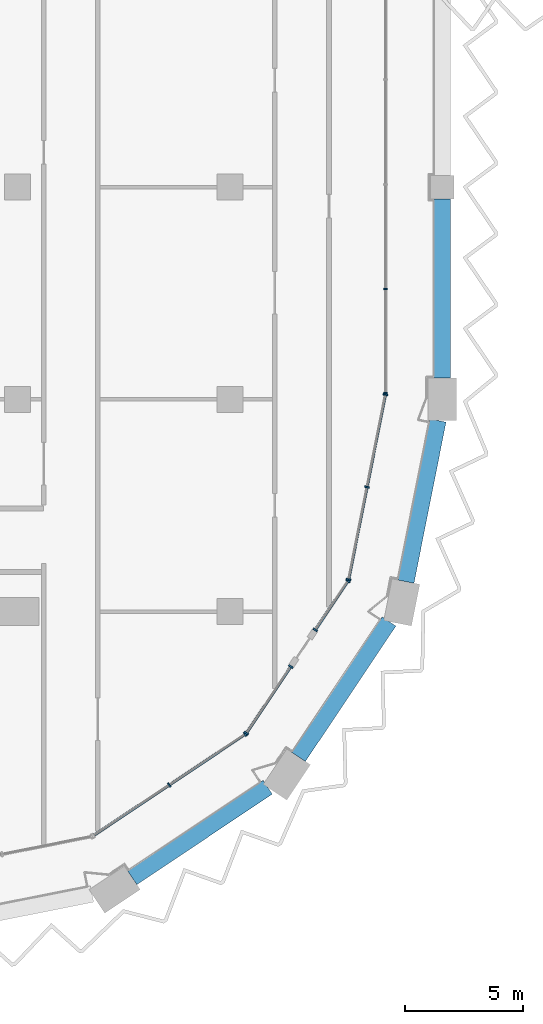
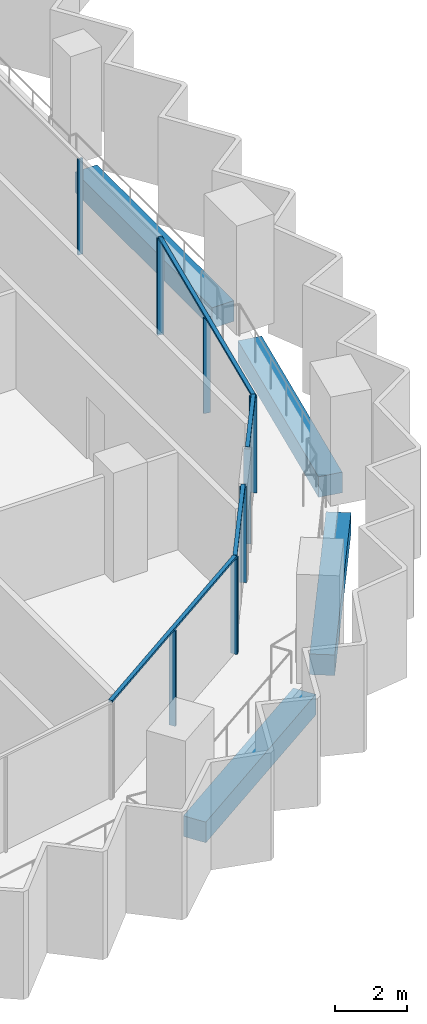
# One storey, part 4 of 19: 15 members, 4 beams, 5 elements without a shape of their own.
"""IFC4 building model written with IfcOpenShell, lengths in metres."""

from ifc_helpers import new_model, si_unit, direction, frame, origin, origin_2d, place, context, subcontext, project, spatial, rectangle, extrude, material, material_profile, profile_set, type_object, element, aggregate, save


model = new_model("IFC4")

# Units and contexts
model_context = context("Model", 3, precision=1e-05, world=origin(), true_north=direction((0.0, 1.0)))
body_context = subcontext(model_context, "Body", "Model", "MODEL_VIEW")
ifc_project = project(units=[si_unit("LENGTHUNIT", "METRE"), si_unit("AREAUNIT", "SQUARE_METRE"), si_unit("VOLUMEUNIT", "CUBIC_METRE"), si_unit("PLANEANGLEUNIT", "RADIAN"), si_unit("MASSUNIT", "GRAM", prefix="KILO")], contexts=[model_context])

# Site, building, storey
site_placement = place(None, origin())
site = spatial("IfcSite", under=ifc_project, at=site_placement, CompositionType="ELEMENT")
building_placement = place(site_placement, origin())
building = spatial("IfcBuilding", under=site, at=building_placement, Name="Hunhe Ridgeline Campus", CompositionType="ELEMENT")
storey_placement = place(building_placement, frame((0.0, 0.0, 216.10009765625)))
storey = spatial("IfcBuildingStorey", under=building, at=storey_placement, Name="L55", CompositionType="ELEMENT", Elevation=216.10009765625)

# Curtain wall, members
ifc_material_1 = material(Name="Aluminium 6063", Category="aluminium")
curtain_wall_type_1 = type_object("IfcCurtainWallType", Name="Curtain wall CW-1", PredefinedType="NOTDEFINED", material=ifc_material_1)
curtain_wall_1_placement = place(storey_placement, origin())
curtain_wall_1 = element("IfcCurtainWall", 1, at=curtain_wall_1_placement, inside=storey, type_object=curtain_wall_type_1, Name="Curtain wall 11", PredefinedType="NOTDEFINED")
ifc_material_profile_1 = material_profile(ifc_material_1, rectangle(XDim=0.159912109375, YDim=0.06005859375, at=origin_2d()))
ifc_profile_set_1 = profile_set([ifc_material_profile_1], Name="Aluminium 6063")
member_type_1 = type_object("IfcMemberType", Name="CW-1 aluminium mullion", PredefinedType="MULLION", material=ifc_profile_set_1)
member_1_placement = place(storey_placement, frame((42.59912109375, 36.266357421875, 0.0), z_axis=(0.0, 0.0, 1.0), x_axis=(-0.999999999978, 6.642653e-06, 0.0)))
member_1 = element("IfcMember", 2, at=member_1_placement, type_object=member_type_1, Name="CW-1 mullion 1", PredefinedType="MULLION", context=body_context, shape_type="SweptSolid", body=[
    extrude(rectangle(XDim=0.159912109375, YDim=0.06005859375, at=origin_2d()), origin(), (0.0, 0.0, 1.0), 3.239990234375),
])
member_2_placement = place(storey_placement, frame((42.59912109375, 40.677490234375, 0.0), z_axis=(0.0, 0.0, 1.0), x_axis=(-0.999999999978, 6.642653e-06, 0.0)))
member_2 = element("IfcMember", 3, at=member_2_placement, type_object=member_type_1, Name="CW-1 mullion 2", PredefinedType="MULLION", context=body_context, shape_type="SweptSolid", body=[
    extrude(rectangle(XDim=0.159912109375, YDim=0.06005859375, at=origin_2d()), origin(), (0.0, 0.0, 1.0), 3.239990234375),
])
aggregate(curtain_wall_1, [member_1, member_2])

curtain_wall_type_2 = type_object("IfcCurtainWallType", Name="Curtain wall CW-5", PredefinedType="NOTDEFINED", material=ifc_material_1)
curtain_wall_2_placement = place(storey_placement, origin())
curtain_wall_2 = element("IfcCurtainWall", 4, at=curtain_wall_2_placement, inside=storey, type_object=curtain_wall_type_2, Name="Curtain wall 07", PredefinedType="NOTDEFINED")
ifc_material_profile_2 = material_profile(ifc_material_1, rectangle(XDim=0.199951171875, YDim=0.070068359375, at=origin_2d()))
ifc_profile_set_2 = profile_set([ifc_material_profile_2], Name="Aluminium 6063")
member_type_2 = type_object("IfcMemberType", Name="CW-5 aluminium mullion", PredefinedType="MULLION", material=ifc_profile_set_2)
member_3_placement = place(storey_placement, frame((33.42626953125, 19.647705078125, 0.0), z_axis=(0.0, 0.0, 1.0), x_axis=(-0.555570274596, 0.831469584522, 0.0)))
member_3 = element("IfcMember", 5, at=member_3_placement, type_object=member_type_2, Name="CW-5 mullion 2", PredefinedType="MULLION", context=body_context, shape_type="SweptSolid", body=[
    extrude(rectangle(XDim=0.199951171875, YDim=0.070068359375, at=origin_2d()), origin(), (0.0, 0.0, 1.0), 3.22998046875),
])
member_4_placement = place(storey_placement, frame((36.649658203125, 21.8017578125, 0.0), z_axis=(0.0, 0.0, 1.0), x_axis=(-0.555570274596, 0.831469584522, 0.0)))
member_4 = element("IfcMember", 6, at=member_4_placement, type_object=member_type_2, Name="CW-5 mullion 3", PredefinedType="MULLION", context=body_context, shape_type="SweptSolid", body=[
    extrude(rectangle(XDim=0.199951171875, YDim=0.070068359375, at=origin_2d()), origin(), (0.0, 0.0, 1.0), 3.22998046875),
])

curtain_wall_3_placement = place(storey_placement, origin())
curtain_wall_3 = element("IfcCurtainWall", 7, at=curtain_wall_3_placement, inside=storey, type_object=curtain_wall_type_2, Name="Curtain wall 08", PredefinedType="NOTDEFINED")
member_5_placement = place(storey_placement, frame((36.6982421875, 21.850341796875, 0.0), z_axis=(0.0, 0.0, 1.0), x_axis=(-0.831469595944, 0.555570257501, 0.0)))
member_5 = element("IfcMember", 8, at=member_5_placement, type_object=member_type_2, Name="CW-5 mullion 1", PredefinedType="MULLION", context=body_context, shape_type="SweptSolid", body=[
    extrude(rectangle(XDim=0.199951171875, YDim=0.070068359375, at=origin_2d()), origin(), (0.0, 0.0, 1.0), 3.22998046875),
])
member_6_placement = place(storey_placement, frame((38.582763671875, 24.67041015625, 0.0), z_axis=(0.0, 0.0, 1.0), x_axis=(-0.831469595944, 0.555570257501, 0.0)))
member_6 = element("IfcMember", 9, at=member_6_placement, type_object=member_type_2, Name="CW-5 mullion 2", PredefinedType="MULLION", context=body_context, shape_type="SweptSolid", body=[
    extrude(rectangle(XDim=0.199951171875, YDim=0.070068359375, at=origin_2d()), origin(), (0.0, 0.0, 1.0), 3.22998046875),
])

curtain_wall_4_placement = place(storey_placement, origin())
curtain_wall_4 = element("IfcCurtainWall", 10, at=curtain_wall_4_placement, inside=storey, type_object=curtain_wall_type_2, Name="Curtain wall 09", PredefinedType="NOTDEFINED")
member_7_placement = place(storey_placement, frame((39.62158203125, 26.225341796875, 0.0), z_axis=(0.0, 0.0, 1.0), x_axis=(-0.831469510353, 0.555570385598, 0.0)))
member_7 = element("IfcMember", 11, at=member_7_placement, type_object=member_type_2, Name="CW-5 mullion 1", PredefinedType="MULLION", context=body_context, shape_type="SweptSolid", body=[
    extrude(rectangle(XDim=0.199951171875, YDim=0.070068359375, at=origin_2d()), origin(), (0.0, 0.0, 1.0), 3.22998046875),
])
member_8_placement = place(storey_placement, frame((41.006103515625, 28.29736328125, 0.0), z_axis=(0.0, 0.0, 1.0), x_axis=(-0.831469510353, 0.555570385598, 0.0)))
member_8 = element("IfcMember", 12, at=member_8_placement, type_object=member_type_2, Name="CW-5 mullion 2", PredefinedType="MULLION", context=body_context, shape_type="SweptSolid", body=[
    extrude(rectangle(XDim=0.199951171875, YDim=0.070068359375, at=origin_2d()), origin(), (0.0, 0.0, 1.0), 3.22998046875),
])

curtain_wall_5_placement = place(storey_placement, origin())
curtain_wall_5 = element("IfcCurtainWall", 13, at=curtain_wall_5_placement, inside=storey, type_object=curtain_wall_type_2, Name="Curtain wall 10", PredefinedType="NOTDEFINED")
member_9_placement = place(storey_placement, frame((41.032470703125, 28.36083984375, 0.0), z_axis=(0.0, 0.0, 1.0), x_axis=(-0.980785284939, 0.195090299215, 0.0)))
member_9 = element("IfcMember", 14, at=member_9_placement, type_object=member_type_2, Name="CW-5 mullion 1", PredefinedType="MULLION", context=body_context, shape_type="SweptSolid", body=[
    extrude(rectangle(XDim=0.199951171875, YDim=0.070068359375, at=origin_2d()), origin(), (0.0, 0.0, 1.0), 3.22998046875),
])
member_10_placement = place(storey_placement, frame((41.812255859375, 32.281494140625, 0.0), z_axis=(0.0, 0.0, 1.0), x_axis=(-0.980785284939, 0.195090299215, 0.0)))
member_10 = element("IfcMember", 15, at=member_10_placement, type_object=member_type_2, Name="CW-5 mullion 2", PredefinedType="MULLION", context=body_context, shape_type="SweptSolid", body=[
    extrude(rectangle(XDim=0.199951171875, YDim=0.070068359375, at=origin_2d()), origin(), (0.0, 0.0, 1.0), 3.22998046875),
])
member_11_placement = place(storey_placement, frame((42.59228515625, 36.2021484375, 0.0), z_axis=(0.0, 0.0, 1.0), x_axis=(-0.980785284939, 0.195090299215, 0.0)))
member_11 = element("IfcMember", 16, at=member_11_placement, type_object=member_type_2, Name="CW-5 mullion 3", PredefinedType="MULLION", context=body_context, shape_type="SweptSolid", body=[
    extrude(rectangle(XDim=0.199951171875, YDim=0.070068359375, at=origin_2d()), origin(), (0.0, 0.0, 1.0), 3.22998046875),
])

# Member
ifc_material_profile_3 = material_profile(ifc_material_1, rectangle(XDim=0.1201171875, YDim=0.070068359375, at=origin_2d()))
ifc_profile_set_3 = profile_set([ifc_material_profile_3], Name="Aluminium 6063")
member_type_3 = type_object("IfcMemberType", Name="CW-5 aluminium transom", PredefinedType="USERDEFINED", material=ifc_profile_set_3)
member_12_placement = place(storey_placement, frame((30.173583984375, 17.474365234375, 3.264892578125), z_axis=(0.831473763475, 0.5555640203, 0.0), x_axis=(-0.5555640203, 0.831473763475, 0.0)))
member_12 = element("IfcMember", 17, at=member_12_placement, type_object=member_type_3, Name="CW-5 transom 1", ObjectType="TRANSOM", PredefinedType="USERDEFINED", context=body_context, shape_type="SweptSolid", body=[
    extrude(rectangle(XDim=0.1201171875, YDim=0.070068359375, at=origin_2d()), origin(), (0.0, 0.0, 1.0), 7.823974609375),
])

aggregate(curtain_wall_2, [member_12, member_3, member_4])

member_13_placement = place(storey_placement, frame((36.678955078125, 21.821044921875, 3.264892578125), z_axis=(0.555546133463, 0.831485714606, 0.0), x_axis=(-0.831485714606, 0.555546133463, 0.0)))
member_13 = element("IfcMember", 18, at=member_13_placement, type_object=member_type_3, Name="CW-5 transom 1", ObjectType="TRANSOM", PredefinedType="USERDEFINED", context=body_context, shape_type="SweptSolid", body=[
    extrude(rectangle(XDim=0.1201171875, YDim=0.070068359375, at=origin_2d()), origin(), (0.0, 0.0, 1.0), 3.462158203125),
])

aggregate(curtain_wall_3, [member_13, member_5, member_6])

member_14_placement = place(storey_placement, frame((39.602294921875, 26.1962890625, 3.264892578125), z_axis=(0.555579547735, 0.831463388334, 0.0), x_axis=(-0.831463388334, 0.555579547735, 0.0)))
member_14 = element("IfcMember", 19, at=member_14_placement, type_object=member_type_3, Name="CW-5 transom 1", ObjectType="TRANSOM", PredefinedType="USERDEFINED", context=body_context, shape_type="SweptSolid", body=[
    extrude(rectangle(XDim=0.1201171875, YDim=0.070068359375, at=origin_2d()), origin(), (0.0, 0.0, 1.0), 2.56201171875),
])

aggregate(curtain_wall_4, [member_14, member_7, member_8])

member_15_placement = place(storey_placement, frame((41.025634765625, 28.326416015625, 3.264892578125), z_axis=(0.195097290093, 0.980783894341, 0.0), x_axis=(-0.980783894341, 0.195097290093, 0.0)))
member_15 = element("IfcMember", 20, at=member_15_placement, type_object=member_type_3, Name="CW-5 transom 1", ObjectType="TRANSOM", PredefinedType="USERDEFINED", context=body_context, shape_type="SweptSolid", body=[
    extrude(rectangle(XDim=0.1201171875, YDim=0.070068359375, at=origin_2d()), origin(), (0.0, 0.0, 1.0), 8.065185546875),
])

aggregate(curtain_wall_5, [member_15, member_9, member_10, member_11])

# Beams
ifc_material_2 = material(Name="Concrete C50", Category="concrete")
ifc_material_profile_4 = material_profile(ifc_material_2, rectangle(XDim=0.699951171875, YDim=0.699951171875, at=origin_2d()))
ifc_profile_set_4 = profile_set([ifc_material_profile_4], Name="Concrete C50")
beam_type = type_object("IfcBeamType", Name="RC spandrel beam 700x700 Concrete C50", PredefinedType="SPANDREL", material=ifc_profile_set_4)
for number, where, z_axis, x_axis, name in (
    (21, (31.858642578125, 15.712646484375, -0.60009765625), (0.831467796868, 0.55557295, 0.0), (-0.55557295, 0.831467796868, 0.0), "Spandrel beam B3-6 L55"),
    (22, (38.909912109375, 20.83837890625, -0.60009765625), (0.55557295, 0.831467796868, 0.0), (-0.831467796868, 0.55557295, 0.0), "Spandrel beam B3-7 L55"),
):
    element("IfcBeam", number, at=place(storey_placement, frame(where, z_axis=z_axis, x_axis=x_axis)), inside=storey, type_object=beam_type, Name=name, PredefinedType="SPANDREL", context=body_context, shape_type="SweptSolid", body=[
        extrude(rectangle(XDim=0.699951171875, YDim=0.699951171875, at=origin_2d()), origin(), (0.0, 0.0, 1.0), 6.905029296875),
    ])
beam_1_placement = place(storey_placement, frame((43.462890625, 28.272216796875, -0.60009765625), z_axis=(0.195090923217, 0.980785160817, 0.0), x_axis=(-0.980785160817, 0.195090923217, 0.0)))
element("IfcBeam", 23, at=beam_1_placement, inside=storey, type_object=beam_type, Name="Spandrel beam B3-8 L55", PredefinedType="SPANDREL", context=body_context, shape_type="SweptSolid", body=[
    extrude(rectangle(XDim=0.699951171875, YDim=0.699951171875, at=origin_2d()), origin(), (0.0, 0.0, 1.0), 6.961669921875),
])
beam_2_placement = place(storey_placement, frame((45.0, 36.89990234375, -0.60009765625), z_axis=(0.0, 1.0, 0.0), x_axis=(-1.0, 0.0, 0.0)))
element("IfcBeam", 24, at=beam_2_placement, inside=storey, type_object=beam_type, Name="Spandrel beam B3-9 L55", PredefinedType="SPANDREL", context=body_context, shape_type="SweptSolid", body=[
    extrude(rectangle(XDim=0.699951171875, YDim=0.699951171875, at=origin_2d()), origin(), (0.0, 0.0, 1.0), 7.60009765625),
])

save(model, "model.ifc")
